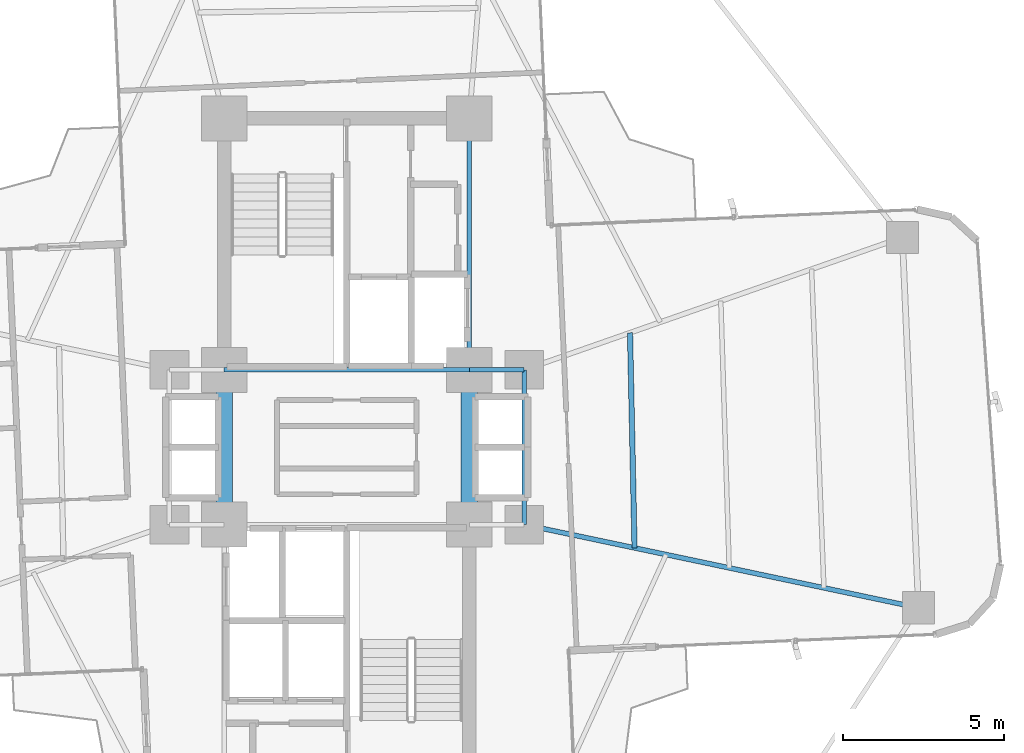
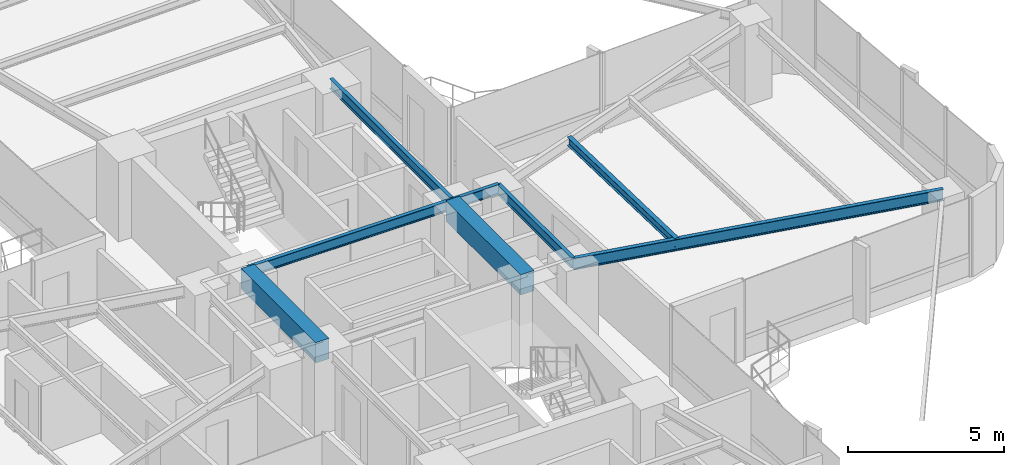
# One storey, part 12 of 26: 8 beams.
"""IFC4 building model written with IfcOpenShell, lengths in metres."""

from ifc_helpers import new_model, si_unit, direction, frame, origin, origin_2d, place, context, subcontext, project, spatial, rectangle, i_section, extrude, source, transform, mapped, material, material_profile, profile_set, type_object, element, save


model = new_model("IFC4")

# Units and contexts
model_context = context("Model", 3, precision=1e-05, world=origin(), true_north=direction((0.0, 1.0)))
body_context = subcontext(model_context, "Body", "Model", "MODEL_VIEW")
ifc_project = project(units=[si_unit("LENGTHUNIT", "METRE"), si_unit("AREAUNIT", "SQUARE_METRE"), si_unit("VOLUMEUNIT", "CUBIC_METRE"), si_unit("PLANEANGLEUNIT", "RADIAN"), si_unit("MASSUNIT", "GRAM", prefix="KILO")], contexts=[model_context])

# Site, building, storey
site_placement = place(None, origin())
site = spatial("IfcSite", under=ifc_project, at=site_placement, CompositionType="ELEMENT")
building_placement = place(site_placement, origin())
building = spatial("IfcBuilding", under=site, at=building_placement, Name="Sahyath Konkavel Grand Hotel", CompositionType="ELEMENT")
storey_placement = place(building_placement, frame((0.0, 0.0, 96.89990234375)))
storey = spatial("IfcBuildingStorey", under=building, at=storey_placement, Name="L26", CompositionType="ELEMENT", Elevation=96.89990234375)

# Beams
ifc_material_1 = material(Name="Steel E350", Category="steel")
ifc_material_profile_1 = material_profile(ifc_material_1, i_section(OverallWidth=0.139892578125, OverallDepth=0.39990234375, WebThickness=0.0087890625, FlangeThickness=0.01611328125, FilletRadius=0.013916015625, at=origin_2d()), Name="ISMB 400")
ifc_profile_set_1 = profile_set([ifc_material_profile_1], Name="Steel E350")
beam_type_1 = type_object("IfcBeamType", Name="BM-ISMB400", PredefinedType="BEAM", material=ifc_profile_set_1)
shared_shape_1 = source(origin(), body_context, "Body", "SweptSolid", [
    extrude(i_section(OverallWidth=0.139892578125, OverallDepth=0.39990234375, WebThickness=0.0087890625, FlangeThickness=0.01611328125, FilletRadius=0.013916015625, at=origin_2d()), origin(), (0.0, 0.0, 1.0), 7.60009765625),
])
beam_1_placement = place(storey_placement, frame((-3.800048828125, 2.39990234375, 2.91015625), z_axis=(1.0, 0.0, 0.0), x_axis=(0.0, 1.0, 0.0)))
element("IfcBeam", 1, at=beam_1_placement, inside=storey, type_object=beam_type_1, Name="str:bm:L26:NC-S", PredefinedType="BEAM", context=body_context, shape_type="MappedRepresentation", body=[
    mapped(shared_shape_1, transform((0.0, 0.0, 0.0), scale=1.0)),
])
shared_shape_2 = source(origin(), body_context, "Body", "SweptSolid", [
    extrude(i_section(OverallWidth=0.139892578125, OverallDepth=0.39990234375, WebThickness=0.0087890625, FlangeThickness=0.01611328125, FilletRadius=0.013916015625, at=origin_2d()), origin(), (0.0, 0.0, 1.0), 7.800048828125),
])
beam_2_placement = place(storey_placement, frame((3.800048828125, 2.39990234375, 2.91015625), z_axis=(0.0, 1.0, 0.0), x_axis=(-1.0, 0.0, 0.0)))
element("IfcBeam", 2, at=beam_2_placement, inside=storey, type_object=beam_type_1, Name="str:bm:L26:NC-E", PredefinedType="BEAM", context=body_context, shape_type="MappedRepresentation", body=[
    mapped(shared_shape_2, transform((0.0, 0.0, 0.0), scale=1.0)),
])
shared_shape_3 = source(origin(), body_context, "Body", "SweptSolid", [
    extrude(i_section(OverallWidth=0.139892578125, OverallDepth=0.39990234375, WebThickness=0.0087890625, FlangeThickness=0.01611328125, FilletRadius=0.013916015625, at=origin_2d()), origin(), (0.0, 0.0, 1.0), 1.699951171875),
])
beam_3_placement = place(storey_placement, frame((3.800048828125, 2.39990234375, 2.91015625), z_axis=(1.0, 0.0, 0.0), x_axis=(0.0, 1.0, 0.0)))
element("IfcBeam", 3, at=beam_3_placement, inside=storey, type_object=beam_type_1, Name="str:bm:L26:HB-NE", PredefinedType="BEAM", context=body_context, shape_type="MappedRepresentation", body=[
    mapped(shared_shape_3, transform((0.0, 0.0, 0.0), scale=1.0)),
])
shared_shape_4 = source(origin(), body_context, "Body", "SweptSolid", [
    extrude(i_section(OverallWidth=0.139892578125, OverallDepth=0.39990234375, WebThickness=0.0087890625, FlangeThickness=0.01611328125, FilletRadius=0.013916015625, at=origin_2d()), origin(), (0.0, 0.0, 1.0), 4.7998046875),
])
beam_4_placement = place(storey_placement, frame((5.5, -2.39990234375, 2.91015625), z_axis=(0.0, 1.0, 0.0), x_axis=(-1.0, 0.0, 0.0)))
element("IfcBeam", 4, at=beam_4_placement, inside=storey, type_object=beam_type_1, Name="str:bm:L26:HB-E", PredefinedType="BEAM", context=body_context, shape_type="MappedRepresentation", body=[
    mapped(shared_shape_4, transform((0.0, 0.0, 0.0), scale=1.0)),
])
ifc_material_2 = material(Name="Concrete C50/60", Category="concrete")
ifc_material_profile_2 = material_profile(ifc_material_2, rectangle(XDim=0.5, YDim=0.800048828125, at=origin_2d()), Name="RC 500x800")
ifc_profile_set_2 = profile_set([ifc_material_profile_2], Name="Concrete C50/60")
beam_type_2 = type_object("IfcBeamType", Name="BM-CB500x800", PredefinedType="LINTEL", material=ifc_profile_set_2)
shared_shape_5 = source(origin(), body_context, "Body", "SweptSolid", [
    extrude(rectangle(XDim=0.5, YDim=0.800048828125, at=origin_2d()), origin(), (0.0, 0.0, 1.0), 4.7998046875),
])
for number, where, z_axis, x_axis, name in (
    (5, (-3.800048828125, -2.39990234375, 2.710205078125), (0.0, 1.0, 0.0), (-1.0, 0.0, 0.0), "L26 Split-Core Coupling Beam West"),
    (6, (3.800048828125, -2.39990234375, 2.710205078125), (0.0, 1.0, 0.0), (-1.0, 0.0, 0.0), "L26 Split-Core Coupling Beam East"),
):
    element("IfcBeam", number, at=place(storey_placement, frame(where, z_axis=z_axis, x_axis=x_axis)), inside=storey, type_object=beam_type_2, Name=name, PredefinedType="LINTEL", context=body_context, shape_type="MappedRepresentation", body=[
        mapped(shared_shape_5, transform((0.0, 0.0, 0.0), scale=1.0)),
    ])
ifc_material_profile_3 = material_profile(ifc_material_1, i_section(OverallWidth=0.14990234375, OverallDepth=0.449951171875, WebThickness=0.009521484375, FlangeThickness=0.017333984375, FilletRadius=0.014892578125, at=origin_2d()), Name="ISMB 450")
ifc_profile_set_3 = profile_set([ifc_material_profile_3], Name="Steel E350")
beam_type_3 = type_object("IfcBeamType", Name="BM-ISMB450", PredefinedType="BEAM", material=ifc_profile_set_3)
shared_shape_6 = source(origin(), body_context, "Body", "SweptSolid", [
    extrude(i_section(OverallWidth=0.14990234375, OverallDepth=0.449951171875, WebThickness=0.009521484375, FlangeThickness=0.017333984375, FilletRadius=0.014892578125, at=origin_2d()), origin(), (0.0, 0.0, 1.0), 12.50341796875),
])
beam_5_placement = place(storey_placement, frame((5.5, -2.39990234375, 2.885009765625), z_axis=(0.978457911392, -0.206446398937, 0.0), x_axis=(0.206446398937, 0.978457911392, 0.0)))
element("IfcBeam", 7, at=beam_5_placement, inside=storey, type_object=beam_type_3, Name="L26 Cruciform Radial Girder EA", PredefinedType="BEAM", context=body_context, shape_type="MappedRepresentation", body=[
    mapped(shared_shape_6, transform((0.0, 0.0, 0.0), scale=1.0)),
])
ifc_material_profile_4 = material_profile(ifc_material_1, i_section(OverallWidth=0.1650390625, OverallDepth=0.324951171875, WebThickness=0.007080078125, FlangeThickness=0.009765625, FilletRadius=0.014892578125, at=origin_2d()), Name="ISLB 325")
ifc_profile_set_4 = profile_set([ifc_material_profile_4], Name="Steel E350")
beam_type_4 = type_object("IfcBeamType", Name="BM-ISLB325", PredefinedType="BEAM", material=ifc_profile_set_4)
shared_shape_7 = source(origin(), body_context, "Body", "SweptSolid", [
    extrude(i_section(OverallWidth=0.1650390625, OverallDepth=0.324951171875, WebThickness=0.007080078125, FlangeThickness=0.009765625, FilletRadius=0.014892578125, at=origin_2d()), origin(), (0.0, 0.0, 1.0), 6.674560546875),
])
beam_6_placement = place(storey_placement, frame((8.925537109375, -3.122802734375, 2.947509765625), z_axis=(-0.021032188543, 0.999778799058, 0.0), x_axis=(-0.999778799058, -0.021032188543, 0.0)))
element("IfcBeam", 8, at=beam_6_placement, inside=storey, type_object=beam_type_4, Name="L26 Secondary Floor Beam E-1", PredefinedType="BEAM", context=body_context, shape_type="MappedRepresentation", body=[
    mapped(shared_shape_7, transform((0.0, 0.0, 0.0), scale=1.0)),
])

save(model, "model.ifc")
